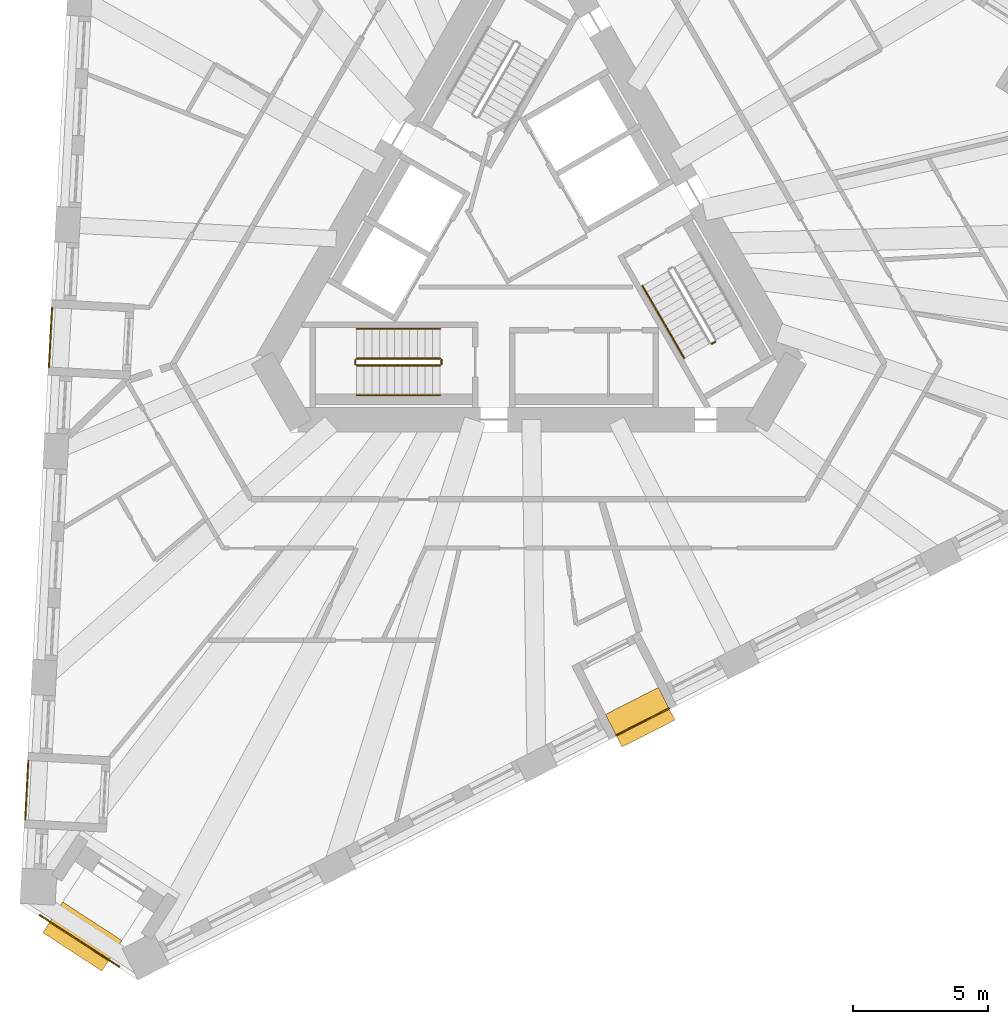
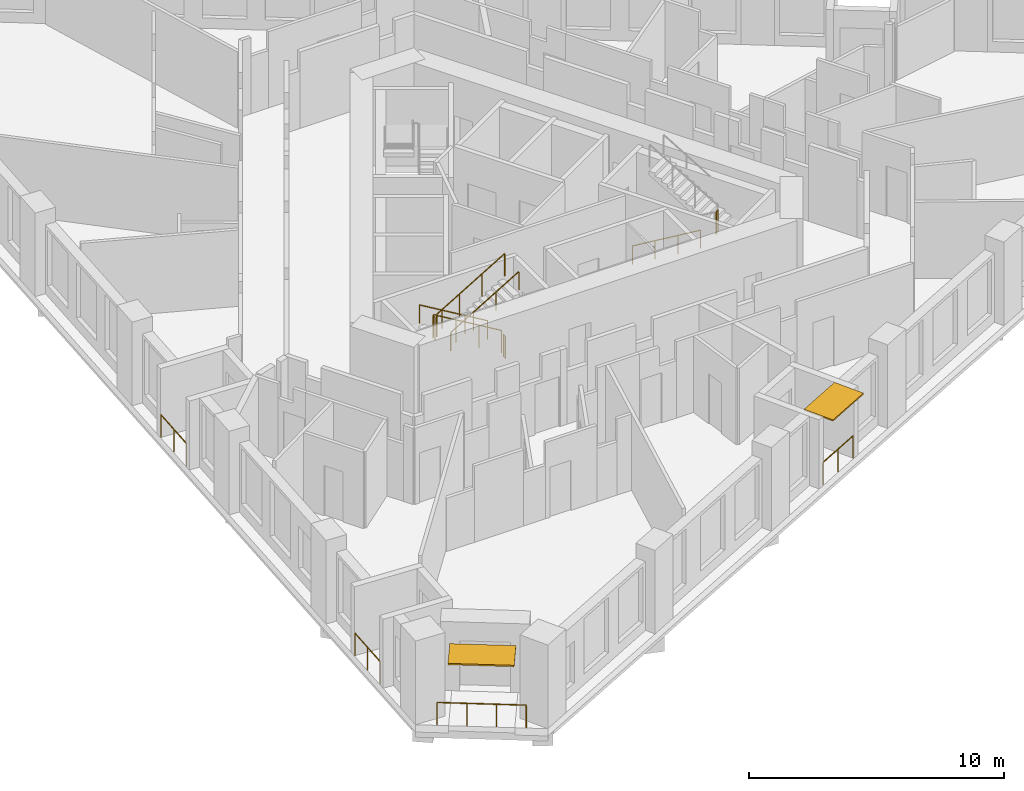
# One storey, part 10 of 13: 12 railings, 2 shading devices.
"""IFC4 building model written with IfcOpenShell, lengths in metres."""

from ifc_helpers import new_model, si_unit, direction, frame, origin, origin_2d, place, context, subcontext, project, spatial, rectangle, circle, extrude, material, layer, layer_set, type_object, element, save


model = new_model("IFC4")

# Units and contexts
model_context = context("Model", 3, precision=1e-05, world=origin(), true_north=direction((0.0, 1.0)))
body_context = subcontext(model_context, "Body", "Model", "MODEL_VIEW")
ifc_project = project(units=[si_unit("LENGTHUNIT", "METRE"), si_unit("AREAUNIT", "SQUARE_METRE"), si_unit("VOLUMEUNIT", "CUBIC_METRE"), si_unit("PLANEANGLEUNIT", "RADIAN"), si_unit("MASSUNIT", "GRAM", prefix="KILO")], contexts=[model_context])

# Site, building, storey
site_placement = place(None, origin())
site = spatial("IfcSite", under=ifc_project, at=site_placement, CompositionType="ELEMENT")
building_placement = place(site_placement, origin())
building = spatial("IfcBuilding", under=site, at=building_placement, Name="Tramontana Tower", CompositionType="ELEMENT")
storey_placement = place(building_placement, frame((0.0, 0.0, 141.60009765625)))
storey = spatial("IfcBuildingStorey", under=building, at=storey_placement, Name="L32", CompositionType="ELEMENT", Elevation=141.60009765625)

# Railings
ifc_material_1 = material(Name="Laminated glass balustrade", Category="glass")
railing_type_1 = type_object("IfcRailingType", Name="GD1 Loggia glass balustrade 1100", PredefinedType="BALUSTRADE", material=ifc_material_1)
for number, where, name in (
    (1, (-17.60791015625, -2.171875, 0.0), "Loggia balustrade L32 G3S0.10"),
    (2, (-18.484130859375, -18.89208984375, 0.0), "Loggia balustrade L32 G3S0.16"),
):
    element("IfcRailing", number, at=place(storey_placement, frame(where)), inside=storey, type_object=railing_type_1, Name=name, PredefinedType="BALUSTRADE", context=body_context, shape_type="SweptSolid", body=[
        extrude(circle(Radius=0.02392578125, at=origin_2d()), frame((0.0, 0.0, 1.076171875), z_axis=(-0.052266372167, -0.998633179071, 0.0), x_axis=(0.998633179071, -0.052266372167, 0.0)), (0.0, 0.0, 1.0), 2.190673828125),
        extrude(circle(Radius=0.02099609375, at=origin_2d()), origin(), (0.0, 0.0, 1.0), 1.052001953125),
        extrude(circle(Radius=0.02099609375, at=origin_2d()), frame((-0.05712890625, -1.09375, 0.0)), (0.0, 0.0, 1.0), 1.052001953125),
        extrude(circle(Radius=0.02099609375, at=origin_2d()), frame((-0.114501953125, -2.187744140625, 0.0)), (0.0, 0.0, 1.0), 1.052001953125),
    ])
railing_1_placement = place(storey_placement, frame((3.225830078125, -17.96337890625, 0.0)))
element("IfcRailing", 3, at=railing_1_placement, inside=storey, type_object=railing_type_1, Name="Loggia balustrade L32 G3S1.7", PredefinedType="BALUSTRADE", context=body_context, shape_type="SweptSolid", body=[
    extrude(circle(Radius=0.02392578125, at=origin_2d()), frame((0.0, 0.0, 1.076171875), z_axis=(0.891013126725, 0.4539775413, 0.0), x_axis=(-0.4539775413, 0.891013126725, 0.0)), (0.0, 0.0, 1.0), 2.1904296875),
    extrude(circle(Radius=0.02099609375, at=origin_2d()), origin(), (0.0, 0.0, 1.0), 1.052001953125),
    extrude(circle(Radius=0.02099609375, at=origin_2d()), frame((0.975830078125, 0.4970703125, 0.0)), (0.0, 0.0, 1.0), 1.052001953125),
    extrude(circle(Radius=0.02099609375, at=origin_2d()), frame((1.95166015625, 0.994384765625, 0.0)), (0.0, 0.0, 1.0), 1.052001953125),
])
railing_2_placement = place(storey_placement, frame((-15.12744140625, -26.50732421875, 0.0)))
element("IfcRailing", 4, at=railing_2_placement, inside=storey, type_object=railing_type_1, Name="Corner loggia balustrade L32 K31", PredefinedType="BALUSTRADE", context=body_context, shape_type="SweptSolid", body=[
    extrude(circle(Radius=0.02392578125, at=origin_2d()), frame((0.0, 0.0, 1.076171875), z_axis=(-0.838665071449, 0.544647498784, 0.0), x_axis=(-0.544647498784, -0.838665071449, 0.0)), (0.0, 0.0, 1.0), 3.5),
    extrude(circle(Radius=0.02099609375, at=origin_2d()), origin(), (0.0, 0.0, 1.0), 1.052001953125),
    extrude(circle(Radius=0.02099609375, at=origin_2d()), frame((-0.978515625, 0.635498046875, 0.0)), (0.0, 0.0, 1.0), 1.052001953125),
    extrude(circle(Radius=0.02099609375, at=origin_2d()), frame((-1.956787109375, 1.270751953125, 0.0)), (0.0, 0.0, 1.0), 1.052001953125),
    extrude(circle(Radius=0.02099609375, at=origin_2d()), frame((-2.935302734375, 1.90625, 0.0)), (0.0, 0.0, 1.0), 1.052001953125),
])

# Shading devices
ifc_material_2 = material(Name="Precast concrete 60 MPa", Category="concrete")
ifc_layer_1 = layer(ifc_material_2, 0.06005859375)
ifc_layer_set_1 = layer_set([ifc_layer_1], Name="SS1 Stone sunshade blade 60")
shading_device_type_1 = type_object("IfcShadingDeviceType", Name="SS1 Stone sunshade blade 60", PredefinedType="USERDEFINED", material=ifc_layer_set_1)
shading_device_1_placement = place(storey_placement, frame((4.113037109375, -17.29248046875, 3.239990234375), z_axis=(0.0, 0.0, 1.0), x_axis=(0.891006524188, 0.45399049974, 0.0)))
element("IfcShadingDevice", 5, at=shading_device_1_placement, inside=storey, type_object=shading_device_type_1, Name="Sunshade L32 G3S1.7", ObjectType="SUNSHADE", PredefinedType="USERDEFINED", context=body_context, shape_type="SweptSolid", body=[
    extrude(rectangle(XDim=2.1904296875, YDim=1.35009765625, at=origin_2d()), origin(), (0.0, 0.0, 1.0), 0.06005859375),
])
ifc_material_3 = material(Name="Precast concrete 60 MPa", Category="concrete")
ifc_layer_2 = layer(ifc_material_3, 0.070068359375)
ifc_layer_set_2 = layer_set([ifc_layer_2], Name="SS2 Stone sunshade blade 70")
shading_device_type_2 = type_object("IfcShadingDeviceType", Name="SS2 Stone sunshade blade 70", PredefinedType="USERDEFINED", material=ifc_layer_set_2)
shading_device_2_placement = place(storey_placement, frame((-16.489013671875, -25.390869140625, 3.22998046875), z_axis=(0.0, 0.0, 1.0), x_axis=(-0.838670567945, 0.544639035015, 0.0)))
element("IfcShadingDevice", 6, at=shading_device_2_placement, inside=storey, type_object=shading_device_type_2, Name="Corner sunshade L32 K31", ObjectType="SUNSHADE", PredefinedType="USERDEFINED", context=body_context, shape_type="SweptSolid", body=[
    extrude(rectangle(XDim=2.60009765625, YDim=1.35009765625, at=origin_2d()), origin(), (0.0, 0.0, 1.0), 0.070068359375),
])

# Railings
ifc_material_4 = material(Name="Painted steel", Category="steel")
railing_type_2 = type_object("IfcRailingType", Name="STAIR GUARD 1100", PredefinedType="GUARDRAIL", material=ifc_material_4)
railing_3_placement = place(storey_placement, frame((-3.280029296875, -4.050048828125, 0.16650390625)))
element("IfcRailing", 7, at=railing_3_placement, inside=storey, type_object=railing_type_2, Name="L32 ST2 stair guard 1", PredefinedType="GUARDRAIL", context=body_context, shape_type="SweptSolid", body=[
    extrude(circle(Radius=0.02392578125, at=origin_2d()), frame((0.0, 0.0, 1.076171875), z_axis=(-0.85927862911, 0.0, 0.511507807912), x_axis=(0.0, -1.0, 0.0)), (0.0, 0.0, 1.0), 3.58447265625),
    extrude(circle(Radius=0.02099609375, at=origin_2d()), origin(), (0.0, 0.0, 1.0), 1.052001953125),
    extrude(circle(Radius=0.02099609375, at=origin_2d()), frame((-1.026611328125, 0.0, 0.611083984375)), (0.0, 0.0, 1.0), 1.052001953125),
    extrude(circle(Radius=0.02099609375, at=origin_2d()), frame((-2.053466796875, 0.0, 1.222412109375)), (0.0, 0.0, 1.0), 1.052001953125),
    extrude(circle(Radius=0.02099609375, at=origin_2d()), frame((-3.080078125, 0.0, 1.83349609375)), (0.0, 0.0, 1.0), 1.052001953125),
])
railing_4_placement = place(storey_placement, frame((-6.360107421875, -4.300048828125, 2.16650390625)))
element("IfcRailing", 8, at=railing_4_placement, inside=storey, type_object=railing_type_2, Name="L32 ST2 stair guard 2", PredefinedType="GUARDRAIL", context=body_context, shape_type="SweptSolid", body=[
    extrude(circle(Radius=0.02392578125, at=origin_2d()), frame((0.0, 0.0, 1.076171875), z_axis=(0.85927862911, 0.0, 0.511507807912), x_axis=(0.0, 1.0, 0.0)), (0.0, 0.0, 1.0), 3.58447265625),
    extrude(circle(Radius=0.02099609375, at=origin_2d()), origin(), (0.0, 0.0, 1.0), 1.052001953125),
    extrude(circle(Radius=0.02099609375, at=origin_2d()), frame((1.026611328125, 0.0, 0.611083984375)), (0.0, 0.0, 1.0), 1.052001953125),
    extrude(circle(Radius=0.02099609375, at=origin_2d()), frame((2.053466796875, 0.0, 1.222412109375)), (0.0, 0.0, 1.0), 1.052001953125),
    extrude(circle(Radius=0.02099609375, at=origin_2d()), frame((3.080078125, 0.0, 1.83349609375)), (0.0, 0.0, 1.0), 1.052001953125),
])
for number, where, name in (
    (9, (-6.409912109375, -4.10009765625, 2.0), "L32 ST2 stair guard 3"),
    (10, (-3.22998046875, -4.10009765625, 0.0), "L32 ST2 stair guard 4"),
):
    element("IfcRailing", number, at=place(storey_placement, frame(where)), inside=storey, type_object=railing_type_2, Name=name, PredefinedType="GUARDRAIL", context=body_context, shape_type="SweptSolid", body=[
        extrude(circle(Radius=0.02392578125, at=origin_2d()), frame((0.0, 0.0, 1.076171875), z_axis=(0.0, -1.0, 0.0), x_axis=(1.0, 0.0, 0.0)), (0.0, 0.0, 1.0), 0.14990234375),
        extrude(circle(Radius=0.02099609375, at=origin_2d()), origin(), (0.0, 0.0, 1.0), 1.052001953125),
        extrude(circle(Radius=0.02099609375, at=origin_2d()), frame((0.0, -0.14990234375, 0.0)), (0.0, 0.0, 1.0), 1.052001953125),
    ])
railing_5_placement = place(storey_placement, frame((6.755615234375, -3.501220703125, 2.0)))
element("IfcRailing", 11, at=railing_5_placement, inside=storey, type_object=railing_type_2, Name="L32 ST3 stair guard 3", PredefinedType="GUARDRAIL", context=body_context, shape_type="SweptSolid", body=[
    extrude(circle(Radius=0.02392578125, at=origin_2d()), frame((0.0, 0.0, 1.076171875), z_axis=(0.866131372301, 0.499816412211, 0.0), x_axis=(-0.499816412211, 0.866131372301, 0.0)), (0.0, 0.0, 1.0), 0.14990234375),
    extrude(circle(Radius=0.02099609375, at=origin_2d()), origin(), (0.0, 0.0, 1.0), 1.052001953125),
    extrude(circle(Radius=0.02099609375, at=origin_2d()), frame((0.1298828125, 0.074951171875, 0.0)), (0.0, 0.0, 1.0), 1.052001953125),
])
ifc_material_5 = material(Name="Painted steel", Category="steel")
railing_type_3 = type_object("IfcRailingType", Name="STAIR HANDRAIL 900", PredefinedType="HANDRAIL", material=ifc_material_5)
railing_6_placement = place(storey_placement, frame((-3.280029296875, -2.949951171875, 0.16650390625)))
element("IfcRailing", 12, at=railing_6_placement, inside=storey, type_object=railing_type_3, Name="L32 ST2 stair handrail 1", PredefinedType="HANDRAIL", context=body_context, shape_type="SweptSolid", body=[
    extrude(circle(Radius=0.02392578125, at=origin_2d()), frame((0.0, 0.0, 0.8759765625), z_axis=(-0.85927862911, 0.0, 0.511507807912), x_axis=(0.0, -1.0, 0.0)), (0.0, 0.0, 1.0), 3.58447265625),
    extrude(circle(Radius=0.02099609375, at=origin_2d()), origin(), (0.0, 0.0, 1.0), 0.851806640625),
    extrude(circle(Radius=0.02099609375, at=origin_2d()), frame((-1.026611328125, 0.0, 0.611083984375)), (0.0, 0.0, 1.0), 0.851806640625),
    extrude(circle(Radius=0.02099609375, at=origin_2d()), frame((-2.053466796875, 0.0, 1.222412109375)), (0.0, 0.0, 1.0), 0.851806640625),
    extrude(circle(Radius=0.02099609375, at=origin_2d()), frame((-3.080078125, 0.0, 1.83349609375)), (0.0, 0.0, 1.0), 0.851806640625),
])
railing_7_placement = place(storey_placement, frame((-6.360107421875, -5.39990234375, 2.16650390625)))
element("IfcRailing", 13, at=railing_7_placement, inside=storey, type_object=railing_type_3, Name="L32 ST2 stair handrail 2", PredefinedType="HANDRAIL", context=body_context, shape_type="SweptSolid", body=[
    extrude(circle(Radius=0.02392578125, at=origin_2d()), frame((0.0, 0.0, 0.8759765625), z_axis=(0.85927862911, 0.0, 0.511507807912), x_axis=(0.0, 1.0, 0.0)), (0.0, 0.0, 1.0), 3.58447265625),
    extrude(circle(Radius=0.02099609375, at=origin_2d()), origin(), (0.0, 0.0, 1.0), 0.851806640625),
    extrude(circle(Radius=0.02099609375, at=origin_2d()), frame((1.026611328125, 0.0, 0.611083984375)), (0.0, 0.0, 1.0), 0.851806640625),
    extrude(circle(Radius=0.02099609375, at=origin_2d()), frame((2.053466796875, 0.0, 1.222412109375)), (0.0, 0.0, 1.0), 0.851806640625),
    extrude(circle(Radius=0.02099609375, at=origin_2d()), frame((3.080078125, 0.0, 1.83349609375)), (0.0, 0.0, 1.0), 0.851806640625),
])
railing_8_placement = place(storey_placement, frame((4.19482421875, -1.365478515625, 0.16650390625)))
element("IfcRailing", 14, at=railing_8_placement, inside=storey, type_object=railing_type_3, Name="L32 ST3 stair handrail 1", PredefinedType="HANDRAIL", context=body_context, shape_type="SweptSolid", body=[
    extrude(circle(Radius=0.02392578125, at=origin_2d()), frame((0.0, 0.0, 0.8759765625), z_axis=(0.429634447492, -0.7441639146, 0.511502013422), x_axis=(0.866029832698, 0.499992328818, 0.0)), (0.0, 0.0, 1.0), 3.58447265625),
    extrude(circle(Radius=0.02099609375, at=origin_2d()), origin(), (0.0, 0.0, 1.0), 0.851806640625),
    extrude(circle(Radius=0.02099609375, at=origin_2d()), frame((0.513427734375, -0.88916015625, 0.611083984375)), (0.0, 0.0, 1.0), 0.851806640625),
    extrude(circle(Radius=0.02099609375, at=origin_2d()), frame((1.026611328125, -1.7783203125, 1.222412109375)), (0.0, 0.0, 1.0), 0.851806640625),
    extrude(circle(Radius=0.02099609375, at=origin_2d()), frame((1.5400390625, -2.66748046875, 1.83349609375)), (0.0, 0.0, 1.0), 0.851806640625),
])

save(model, "model.ifc")
